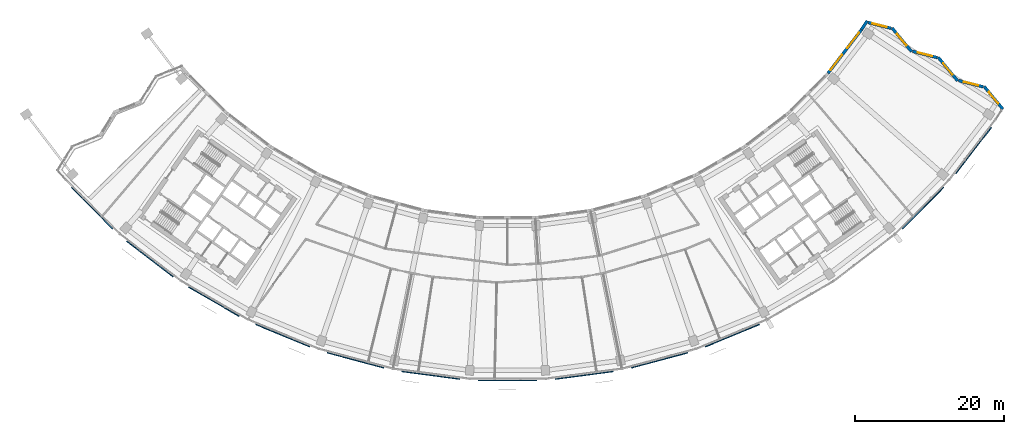
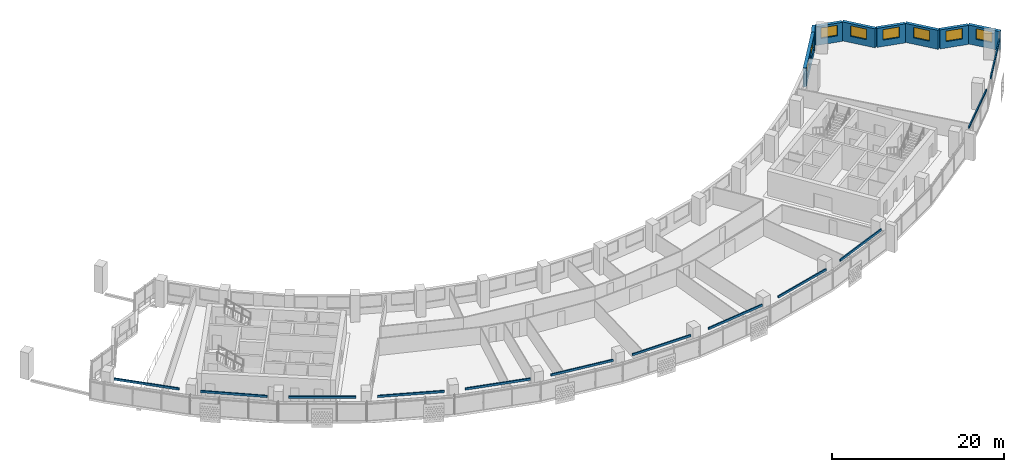
# One storey, part 7 of 27: 12 discrete accessories, 8 walls, 8 windows, 8 openings.
"""IFC4 building model written with IfcOpenShell, lengths in metres."""

import ifcopenshell
import ifcopenshell.guid

model = None  # the IFC model being written
_history = None  # IfcOwnerHistory: only IFC2X3 demands one
_inside = {}  # id of a spatial element -> (the spatial element, [elements in it])
_under = {}  # id of a project, library or spatial element -> (it, [spatial elements below it])
_declared = {}  # id of a project -> (the project, [libraries it declares])
_typed = {}  # id of a type object -> (the type object, [elements of that type])
_made_of = {}  # id of a material, layer set ... -> (it, [elements and type objects made of it])


def new_model(schema):
    """Start an empty IFC model of exactly this schema.

    Asked for "IFC4X3", IfcOpenShell would pick the latest addendum, in which some entities
    have other attributes; the version numbers below select the first issue.
    IFC2X3 requires an IfcOwnerHistory on every rooted entity: one is made here for all.
    """
    global model, _history
    if schema == "IFC4X3":
        model = ifcopenshell.file(schema_version=(4, 3, 0, 0))
    else:
        model = ifcopenshell.file(schema=schema)
    _inside.clear()
    _under.clear()
    _declared.clear()
    _typed.clear()
    _made_of.clear()
    _history = None
    if model.schema == "IFC2X3":
        org = make("IfcOrganization", Name="unknown")
        user = make(
            "IfcPersonAndOrganization",
            ThePerson=make("IfcPerson", FamilyName="unknown"),
            TheOrganization=org,
        )
        app = make(
            "IfcApplication",
            ApplicationDeveloper=org,
            Version="unknown",
            ApplicationFullName="unknown",
            ApplicationIdentifier="unknown",
        )
        _history = make(
            "IfcOwnerHistory",
            OwningUser=user,
            OwningApplication=app,
            ChangeAction="ADDED",
            CreationDate=0,
        )
    return model


def make(cls, **values):
    """One entity of the class cls with the attributes given. An attribute that is None is left unset."""
    return model.create_entity(
        cls, **{name: value for name, value in values.items() if value is not None}
    )


def rooted(cls, **values):
    """An entity with a GlobalId (a new one), such as an element, a storey or a relation."""
    return make(cls, GlobalId=ifcopenshell.guid.new(), OwnerHistory=_history, **values)


def si_unit(unit_type, name, prefix=None):
    """IfcSIUnit, for example si_unit("LENGTHUNIT", "METRE", prefix="MILLI")."""
    return make("IfcSIUnit", UnitType=unit_type, Prefix=prefix, Name=name)


def assignment(units):
    """IfcUnitAssignment: the units of a project."""
    return None if units is None else make("IfcUnitAssignment", Units=units)


def point(xyz):
    """IfcCartesianPoint."""
    return None if xyz is None else make("IfcCartesianPoint", Coordinates=xyz)


def direction(xyz):
    """IfcDirection."""
    return None if xyz is None else make("IfcDirection", DirectionRatios=xyz)


def frame(location, z_axis=None, x_axis=None):
    """IfcAxis2Placement3D, a coordinate frame: its origin and axes. An axis left out is left unset."""
    return make(
        "IfcAxis2Placement3D",
        Location=point(location),
        Axis=direction(z_axis),
        RefDirection=direction(x_axis),
    )


def frame_2d(location, x_axis=None):
    """IfcAxis2Placement2D, a coordinate frame in the plane: its origin and x axis."""
    return make(
        "IfcAxis2Placement2D", Location=point(location), RefDirection=direction(x_axis)
    )


def origin():
    """The frame at (0, 0, 0) with its axes left unset."""
    return frame((0.0, 0.0, 0.0))


def origin_2d():
    """The frame at (0, 0) in the plane with its x axis left unset."""
    return frame_2d((0.0, 0.0))


def place(relative_to, where):
    """IfcLocalPlacement: puts the frame where relative to a parent placement (None: the world)."""
    return make(
        "IfcLocalPlacement", PlacementRelTo=relative_to, RelativePlacement=where
    )


def context(
    kind, dimensions, precision=None, world=None, true_north=None, identifier=None
):
    """IfcGeometricRepresentationContext, for example the 3D "Model" context."""
    return make(
        "IfcGeometricRepresentationContext",
        ContextIdentifier=identifier,
        ContextType=kind,
        CoordinateSpaceDimension=dimensions,
        Precision=precision,
        WorldCoordinateSystem=world,
        TrueNorth=true_north,
    )


def subcontext(parent, identifier, kind, view, scale=None):
    """IfcGeometricRepresentationSubContext, for example "Body" below "Model"."""
    return make(
        "IfcGeometricRepresentationSubContext",
        ContextIdentifier=identifier,
        ContextType=kind,
        ParentContext=parent,
        TargetScale=scale,
        TargetView=view,
    )


def project(units=None, contexts=None):
    """IfcProject with its units and contexts."""
    return rooted(
        "IfcProject",
        Name="project",
        RepresentationContexts=contexts,
        UnitsInContext=assignment(units),
    )


def spatial(cls, under=None, at=None, **own):
    """A site, building, storey or space (cls), placed at a placement, below another one or the project."""
    s = rooted(cls, ObjectPlacement=at, **own)
    if under is not None:
        _under.setdefault(under.id(), (under, []))[1].append(s)
    return s


def profile(cls, at=None, kind="AREA", **sizes):
    """A parametric profile (cls). Its sizes go by their IFC names, for example OverallWidth=200.0."""
    return make(cls, ProfileType=kind, Position=at, **sizes)


def rectangle(**sizes):
    """IfcRectangleProfileDef."""
    return profile("IfcRectangleProfileDef", **sizes)


def extrude(swept, where, along, depth):
    """IfcExtrudedAreaSolid: the profile swept, set in the frame where, extruded along a direction by depth."""
    return make(
        "IfcExtrudedAreaSolid",
        SweptArea=swept,
        Position=where,
        ExtrudedDirection=direction(along),
        Depth=depth,
    )


def shape(context_of_items, identifier, shape_type, items):
    """IfcShapeRepresentation: the items that make up one representation, for example the "Body"."""
    return make(
        "IfcShapeRepresentation",
        ContextOfItems=context_of_items,
        RepresentationIdentifier=identifier,
        RepresentationType=shape_type,
        Items=items,
    )


def material(Name=None, Category=None):
    """IfcMaterial."""
    return make("IfcMaterial", Name=Name, Category=Category)


def layer(
    of_material, thickness, ventilated=None, Name=None, Category=None, Priority=None
):
    """IfcMaterialLayer: one layer of a wall or slab, of a material (None: an air gap)."""
    return make(
        "IfcMaterialLayer",
        Material=of_material,
        LayerThickness=thickness,
        IsVentilated=ventilated,
        Name=Name,
        Category=Category,
        Priority=Priority,
    )


def layer_set(layers, Name=None):
    """IfcMaterialLayerSet."""
    return make("IfcMaterialLayerSet", MaterialLayers=layers, LayerSetName=Name)


def made_of(thing, what):
    """Note that an element or type object is made of a material, layer set ...; save() writes the relation."""
    if what is not None:
        _made_of.setdefault(what.id(), (what, []))[1].append(thing)
    return thing


def type_object(cls, material=None, **own):
    """A type object (cls), such as IfcWallType, which elements share."""
    return made_of(rooted(cls, **own), material)


def element(
    cls,
    number,
    at=None,
    inside=None,
    cuts=None,
    type_object=None,
    material=None,
    context=None,
    identifier="Body",
    shape_type=None,
    held_by="IfcProductDefinitionShape",
    body=None,
    shapes=None,
    **own,
):
    """One element of the class cls, such as IfcWall. Its Tag is "e" and its number.

    at: its placement. inside: the storey or other place that contains it. cuts: it is an
    opening in that element (IfcRelVoidsElement). A single representation is given by context,
    identifier, shape_type and body (its items); several are given by shapes. held_by: the class
    of the entity that holds the representations. save() writes the other relations.
    """
    e = rooted(cls, Tag="e%d" % number, ObjectPlacement=at, **own)
    if body is not None:
        shapes = [shape(context, identifier, shape_type, body)]
    if shapes is not None:
        e.Representation = make(held_by, Representations=shapes)
    if inside is not None:
        _inside.setdefault(inside.id(), (inside, []))[1].append(e)
    if cuts is not None:
        rooted(
            "IfcRelVoidsElement", RelatingBuildingElement=cuts, RelatedOpeningElement=e
        )
    if type_object is not None:
        _typed.setdefault(type_object.id(), (type_object, []))[1].append(e)
    return made_of(e, material)


def fill(opening, filler):
    """IfcRelFillsElement: the door or window that sits in an opening."""
    return rooted(
        "IfcRelFillsElement",
        RelatingOpeningElement=opening,
        RelatedBuildingElement=filler,
    )


def aggregate(whole, parts):
    """IfcRelAggregates: a whole, such as a stair, and the parts it consists of."""
    return rooted("IfcRelAggregates", RelatingObject=whole, RelatedObjects=parts)


def save(model, path):
    """Write the relations noted so far, then the file.

    IfcRelAggregates (storeys below a building ...), IfcRelContainedInSpatialStructure (elements
    in a storey), IfcRelDefinesByType, IfcRelAssociatesMaterial and IfcRelDeclares: one each for
    every whole, place, type object, material and project.
    """
    for whole, parts in _under.values():
        aggregate(whole, parts)
    for where, things in _inside.values():
        rooted(
            "IfcRelContainedInSpatialStructure",
            RelatedElements=things,
            RelatingStructure=where,
        )
    for kind, things in _typed.values():
        rooted("IfcRelDefinesByType", RelatedObjects=things, RelatingType=kind)
    for what, things in _made_of.values():
        rooted("IfcRelAssociatesMaterial", RelatedObjects=things, RelatingMaterial=what)
    for by, libraries in _declared.values():
        rooted("IfcRelDeclares", RelatingContext=by, RelatedDefinitions=libraries)
    model.write(path)


model = new_model("IFC4")

# Units and contexts
model_context = context("Model", 3, precision=1e-05, world=origin(), true_north=direction((0.0, 1.0)))
body_context = subcontext(model_context, "Body", "Model", "MODEL_VIEW")
ifc_project = project(units=[si_unit("LENGTHUNIT", "METRE"), si_unit("AREAUNIT", "SQUARE_METRE"), si_unit("VOLUMEUNIT", "CUBIC_METRE"), si_unit("PLANEANGLEUNIT", "RADIAN"), si_unit("MASSUNIT", "GRAM", prefix="KILO")], contexts=[model_context])

# Site, building, storey
site_placement = place(None, origin())
site = spatial("IfcSite", under=ifc_project, at=site_placement, CompositionType="ELEMENT")
building_placement = place(site_placement, origin())
building = spatial("IfcBuilding", under=site, at=building_placement, Name="Qamariyya Broadcast Tower", CompositionType="ELEMENT")
storey_placement = place(building_placement, frame((0.0, 0.0, 153.10009765625)))
storey = spatial("IfcBuildingStorey", under=building, at=storey_placement, Name="L35", CompositionType="ELEMENT", Elevation=153.10009765625)

# Wall, opening, window
ifc_material_1 = material(Name="Terracotta", Category="masonry")
ifc_layer = layer(ifc_material_1, 0.39990234375)
ifc_layer_set = layer_set([ifc_layer], Name="Terracotta clad wall 400")
wall_type = type_object("IfcWallType", Name="Terracotta clad wall 400", PredefinedType="SOLIDWALL", material=ifc_layer_set)
wall_1_placement = place(storey_placement, frame((66.530029296875, -42.485107421875, 0.0), z_axis=(0.0, 0.0, 1.0), x_axis=(-0.636054145127, 0.77164442878, 0.0)))
wall_1 = element("IfcWall", 1, at=wall_1_placement, inside=storey, type_object=wall_type, Name="e-wl-L35-capE0", PredefinedType="SOLIDWALL", context=body_context, shape_type="SweptSolid", body=[
    extrude(rectangle(XDim=3.921630859375, YDim=0.39990234375, at=frame_2d((1.9609375, 0.0))), origin(), (0.0, 0.0, 1.0), 2.699951171875),
])
opening_1_placement = place(wall_1_placement, frame((0.9609375, 0.0, 0.89990234375)))
opening_1 = element("IfcOpeningElement", 2, at=opening_1_placement, cuts=wall_1, Name="Opening W4", PredefinedType="OPENING", context=body_context, shape_type="SweptSolid", body=[
    extrude(rectangle(XDim=2.0, YDim=1.5, at=frame_2d((1.0, 0.75))), frame((0.0, 0.2099609375, 0.0), z_axis=(0.0, -1.0, 0.0), x_axis=(1.0, 0.0, 0.0)), (0.0, 0.0, 1.0), 0.419921875),
])
ifc_material_2 = material(Name="Clear low-e double glazed unit in aluminium frame", Category="aluminium")
window_type_1 = type_object("IfcWindowType", Name="Horn bay window 2000 x 1500", PartitioningType="SINGLE_PANEL", PredefinedType="WINDOW", material=ifc_material_2)
window_1_placement = place(opening_1_placement, origin())
window_1 = element("IfcWindow", 3, at=window_1_placement, inside=storey, type_object=window_type_1, Name="e-w-L35-capE0", OverallHeight=1.5, OverallWidth=2.0, PartitioningType="SINGLE_PANEL", PredefinedType="WINDOW", context=body_context, shape_type="SweptSolid", body=[
    extrude(rectangle(XDim=2.0, YDim=1.5, at=frame_2d((1.0, 0.75))), frame((0.0, 0.030029296875, 0.0), z_axis=(0.0, -1.0, 0.0), x_axis=(1.0, 0.0, 0.0)), (0.0, 0.0, 1.0), 0.06005859375),
])
fill(opening_1, window_1)

wall_2_placement = place(storey_placement, frame((63.90380859375, -39.49853515625, 0.0), z_axis=(0.0, 0.0, 1.0), x_axis=(-0.969202912247, 0.246263507024, 0.0)))
wall_2 = element("IfcWall", 4, at=wall_2_placement, inside=storey, type_object=wall_type, Name="e-wl-L35-capE1", PredefinedType="SOLIDWALL", context=body_context, shape_type="SweptSolid", body=[
    extrude(rectangle(XDim=3.419189453125, YDim=0.39990234375, at=frame_2d((1.70947265625, 0.0))), origin(), (0.0, 0.0, 1.0), 2.699951171875),
])
opening_2_placement = place(wall_2_placement, frame((0.709716796875, 0.0, 0.89990234375)))
opening_2 = element("IfcOpeningElement", 5, at=opening_2_placement, cuts=wall_2, Name="Opening W4", PredefinedType="OPENING", context=body_context, shape_type="SweptSolid", body=[
    extrude(rectangle(XDim=2.0, YDim=1.5, at=frame_2d((1.0, 0.75))), frame((0.0, 0.2099609375, 0.0), z_axis=(0.0, -1.0, 0.0), x_axis=(1.0, 0.0, 0.0)), (0.0, 0.0, 1.0), 0.419921875),
])
window_2_placement = place(opening_2_placement, origin())
window_2 = element("IfcWindow", 6, at=window_2_placement, inside=storey, type_object=window_type_1, Name="e-w-L35-capE1", OverallHeight=1.5, OverallWidth=2.0, PartitioningType="SINGLE_PANEL", PredefinedType="WINDOW", context=body_context, shape_type="SweptSolid", body=[
    extrude(rectangle(XDim=2.0, YDim=1.5, at=frame_2d((1.0, 0.75))), frame((0.0, 0.030029296875, 0.0), z_axis=(0.0, -1.0, 0.0), x_axis=(1.0, 0.0, 0.0)), (0.0, 0.0, 1.0), 0.06005859375),
])
fill(opening_2, window_2)

wall_3_placement = place(storey_placement, frame((60.4580078125, -38.696044921875, 0.0), z_axis=(0.0, 0.0, 1.0), x_axis=(-0.636136274346, 0.771576723639, 0.0)))
wall_3 = element("IfcWall", 7, at=wall_3_placement, inside=storey, type_object=wall_type, Name="e-wl-L35-capE2", PredefinedType="SOLIDWALL", context=body_context, shape_type="SweptSolid", body=[
    extrude(rectangle(XDim=4.108154296875, YDim=0.39990234375, at=frame_2d((2.05419921875, 0.0))), origin(), (0.0, 0.0, 1.0), 2.699951171875),
])
opening_3_placement = place(wall_3_placement, frame((1.053955078125, 0.0, 0.89990234375)))
opening_3 = element("IfcOpeningElement", 8, at=opening_3_placement, cuts=wall_3, Name="Opening W4", PredefinedType="OPENING", context=body_context, shape_type="SweptSolid", body=[
    extrude(rectangle(XDim=2.0, YDim=1.5, at=frame_2d((1.0, 0.75))), frame((0.0, 0.2099609375, 0.0), z_axis=(0.0, -1.0, 0.0), x_axis=(1.0, 0.0, 0.0)), (0.0, 0.0, 1.0), 0.419921875),
])
window_3_placement = place(opening_3_placement, origin())
window_3 = element("IfcWindow", 9, at=window_3_placement, inside=storey, type_object=window_type_1, Name="e-w-L35-capE2", OverallHeight=1.5, OverallWidth=2.0, PartitioningType="SINGLE_PANEL", PredefinedType="WINDOW", context=body_context, shape_type="SweptSolid", body=[
    extrude(rectangle(XDim=2.0, YDim=1.5, at=frame_2d((1.0, 0.75))), frame((0.0, 0.030029296875, 0.0), z_axis=(0.0, -1.0, 0.0), x_axis=(1.0, 0.0, 0.0)), (0.0, 0.0, 1.0), 0.06005859375),
])
fill(opening_3, window_3)

wall_4_placement = place(storey_placement, frame((57.712890625, -35.566162109375, 0.0), z_axis=(0.0, 0.0, 1.0), x_axis=(-0.969224007326, 0.246180469623, 0.0)))
wall_4 = element("IfcWall", 10, at=wall_4_placement, inside=storey, type_object=wall_type, Name="e-wl-L35-capE3", PredefinedType="SOLIDWALL", context=body_context, shape_type="SweptSolid", body=[
    extrude(rectangle(XDim=3.41845703125, YDim=0.39990234375, at=frame_2d((1.709228515625, 0.0))), origin(), (0.0, 0.0, 1.0), 2.699951171875),
])
opening_4_placement = place(wall_4_placement, frame((0.709228515625, 0.0, 0.89990234375)))
opening_4 = element("IfcOpeningElement", 11, at=opening_4_placement, cuts=wall_4, Name="Opening W4", PredefinedType="OPENING", context=body_context, shape_type="SweptSolid", body=[
    extrude(rectangle(XDim=2.0, YDim=1.5, at=frame_2d((1.0, 0.75))), frame((0.0, 0.2099609375, 0.0), z_axis=(0.0, -1.0, 0.0), x_axis=(1.0, 0.0, 0.0)), (0.0, 0.0, 1.0), 0.419921875),
])
window_4_placement = place(opening_4_placement, origin())
window_4 = element("IfcWindow", 12, at=window_4_placement, inside=storey, type_object=window_type_1, Name="e-w-L35-capE3", OverallHeight=1.5, OverallWidth=2.0, PartitioningType="SINGLE_PANEL", PredefinedType="WINDOW", context=body_context, shape_type="SweptSolid", body=[
    extrude(rectangle(XDim=2.0, YDim=1.5, at=frame_2d((1.0, 0.75))), frame((0.0, 0.030029296875, 0.0), z_axis=(0.0, -1.0, 0.0), x_axis=(1.0, 0.0, 0.0)), (0.0, 0.0, 1.0), 0.06005859375),
])
fill(opening_4, window_4)

wall_5_placement = place(storey_placement, frame((54.267822265625, -34.76416015625, 0.0), z_axis=(0.0, 0.0, 1.0), x_axis=(-0.636190269273, 0.771532203659, 0.0)))
wall_5 = element("IfcWall", 13, at=wall_5_placement, inside=storey, type_object=wall_type, Name="e-wl-L35-capE4", PredefinedType="SOLIDWALL", context=body_context, shape_type="SweptSolid", body=[
    extrude(rectangle(XDim=4.109130859375, YDim=0.39990234375, at=frame_2d((2.0546875, 0.0))), origin(), (0.0, 0.0, 1.0), 2.699951171875),
])
opening_5_placement = place(wall_5_placement, frame((1.0546875, 0.0, 0.89990234375)))
opening_5 = element("IfcOpeningElement", 14, at=opening_5_placement, cuts=wall_5, Name="Opening W4", PredefinedType="OPENING", context=body_context, shape_type="SweptSolid", body=[
    extrude(rectangle(XDim=2.0, YDim=1.5, at=frame_2d((1.0, 0.75))), frame((0.0, 0.2099609375, 0.0), z_axis=(0.0, -1.0, 0.0), x_axis=(1.0, 0.0, 0.0)), (0.0, 0.0, 1.0), 0.419921875),
])
window_5_placement = place(opening_5_placement, origin())
window_5 = element("IfcWindow", 15, at=window_5_placement, inside=storey, type_object=window_type_1, Name="e-w-L35-capE4", OverallHeight=1.5, OverallWidth=2.0, PartitioningType="SINGLE_PANEL", PredefinedType="WINDOW", context=body_context, shape_type="SweptSolid", body=[
    extrude(rectangle(XDim=2.0, YDim=1.5, at=frame_2d((1.0, 0.75))), frame((0.0, 0.030029296875, 0.0), z_axis=(0.0, -1.0, 0.0), x_axis=(1.0, 0.0, 0.0)), (0.0, 0.0, 1.0), 0.06005859375),
])
fill(opening_5, window_5)

wall_6_placement = place(storey_placement, frame((51.521728515625, -31.633544921875, 0.0), z_axis=(0.0, 0.0, 1.0), x_axis=(-0.969235139733, 0.24613663666, 0.0)))
wall_6 = element("IfcWall", 16, at=wall_6_placement, inside=storey, type_object=wall_type, Name="e-wl-L35-capE5", PredefinedType="SOLIDWALL", context=body_context, shape_type="SweptSolid", body=[
    extrude(rectangle(XDim=3.173095703125, YDim=0.39990234375, at=frame_2d((1.58642578125, 0.0))), origin(), (0.0, 0.0, 1.0), 2.699951171875),
])
opening_6_placement = place(wall_6_placement, frame((0.58642578125, 0.0, 0.89990234375)))
opening_6 = element("IfcOpeningElement", 17, at=opening_6_placement, cuts=wall_6, Name="Opening W4", PredefinedType="OPENING", context=body_context, shape_type="SweptSolid", body=[
    extrude(rectangle(XDim=2.0, YDim=1.5, at=frame_2d((1.0, 0.75))), frame((0.0, 0.2099609375, 0.0), z_axis=(0.0, -1.0, 0.0), x_axis=(1.0, 0.0, 0.0)), (0.0, 0.0, 1.0), 0.419921875),
])
window_6_placement = place(opening_6_placement, origin())
window_6 = element("IfcWindow", 18, at=window_6_placement, inside=storey, type_object=window_type_1, Name="e-w-L35-capE5", OverallHeight=1.5, OverallWidth=2.0, PartitioningType="SINGLE_PANEL", PredefinedType="WINDOW", context=body_context, shape_type="SweptSolid", body=[
    extrude(rectangle(XDim=2.0, YDim=1.5, at=frame_2d((1.0, 0.75))), frame((0.0, 0.030029296875, 0.0), z_axis=(0.0, -1.0, 0.0), x_axis=(1.0, 0.0, 0.0)), (0.0, 0.0, 1.0), 0.06005859375),
])
fill(opening_6, window_6)

# Wall, openings, windows
wall_7_placement = place(storey_placement, frame((47.538818359375, -31.80712890625, 0.0), z_axis=(0.0, 0.0, 1.0), x_axis=(-0.608778684195, -0.793340099623, 0.0)))
wall_7 = element("IfcWall", 19, at=wall_7_placement, inside=storey, type_object=wall_type, Name="e-wl-L35-in140", PredefinedType="SOLIDWALL", context=body_context, shape_type="SweptSolid", body=[
    extrude(rectangle(XDim=7.395751953125, YDim=0.39990234375, at=frame_2d((3.69775390625, 0.0))), origin(), (0.0, 0.0, 1.0), 2.699951171875),
])
opening_7_placement = place(wall_7_placement, frame((4.26953125, 0.0, 0.89990234375)))
opening_7 = element("IfcOpeningElement", 20, at=opening_7_placement, cuts=wall_7, Name="Opening W1", PredefinedType="OPENING", context=body_context, shape_type="SweptSolid", body=[
    extrude(rectangle(XDim=2.60009765625, YDim=1.64990234375, at=frame_2d((1.300048828125, 0.824951171875))), frame((0.0, 0.2099609375, 0.0), z_axis=(0.0, -1.0, 0.0), x_axis=(1.0, 0.0, 0.0)), (0.0, 0.0, 1.0), 0.419921875),
])
opening_8_placement = place(wall_7_placement, frame((0.54150390625, 0.0, 0.89990234375)))
opening_8 = element("IfcOpeningElement", 21, at=opening_8_placement, cuts=wall_7, Name="Opening W1", PredefinedType="OPENING", context=body_context, shape_type="SweptSolid", body=[
    extrude(rectangle(XDim=2.60009765625, YDim=1.64990234375, at=frame_2d((1.300048828125, 0.824951171875))), frame((0.0, 0.2099609375, 0.0), z_axis=(0.0, -1.0, 0.0), x_axis=(1.0, 0.0, 0.0)), (0.0, 0.0, 1.0), 0.419921875),
])
window_type_2 = type_object("IfcWindowType", Name="Ribbon window 2600 x 1650", PartitioningType="SINGLE_PANEL", PredefinedType="WINDOW", material=ifc_material_2)
window_7_placement = place(opening_7_placement, origin())
window_7 = element("IfcWindow", 22, at=window_7_placement, inside=storey, type_object=window_type_2, Name="e-w-L35-in14-0", OverallHeight=1.64990234375, OverallWidth=2.60009765625, PartitioningType="SINGLE_PANEL", PredefinedType="WINDOW", context=body_context, shape_type="SweptSolid", body=[
    extrude(rectangle(XDim=2.60009765625, YDim=1.64990234375, at=frame_2d((1.300048828125, 0.824951171875))), frame((0.0, 0.030029296875, 0.0), z_axis=(0.0, -1.0, 0.0), x_axis=(1.0, 0.0, 0.0)), (0.0, 0.0, 1.0), 0.06005859375),
])
fill(opening_7, window_7)
window_8_placement = place(opening_8_placement, origin())
window_8 = element("IfcWindow", 23, at=window_8_placement, inside=storey, type_object=window_type_2, Name="e-w-L35-in14-1", OverallHeight=1.64990234375, OverallWidth=2.60009765625, PartitioningType="SINGLE_PANEL", PredefinedType="WINDOW", context=body_context, shape_type="SweptSolid", body=[
    extrude(rectangle(XDim=2.60009765625, YDim=1.64990234375, at=frame_2d((1.300048828125, 0.824951171875))), frame((0.0, 0.030029296875, 0.0), z_axis=(0.0, -1.0, 0.0), x_axis=(1.0, 0.0, 0.0)), (0.0, 0.0, 1.0), 0.06005859375),
])
fill(opening_8, window_8)

# Wall
wall_8_placement = place(storey_placement, frame((48.307373046875, -30.6318359375, 0.0), z_axis=(0.0, 0.0, 1.0), x_axis=(-0.546031881714, -0.837764396565, 0.0)))
element("IfcWall", 24, at=wall_8_placement, inside=storey, type_object=wall_type, Name="e-wl-L35-in150", PredefinedType="SOLIDWALL", context=body_context, shape_type="SweptSolid", body=[
    extrude(rectangle(XDim=1.38916015625, YDim=0.39990234375, at=frame_2d((0.694580078125, 0.0))), origin(), (0.0, 0.0, 1.0), 2.699951171875),
])

# Discrete accessories
ifc_material_3 = material(Name="Stainless steel 316", Category="steel")
discrete_accessory_type = type_object("IfcDiscreteAccessoryType", Name="Slab edge fixing angle, stainless steel", PredefinedType="BRACKET", material=ifc_material_3)
for number, where, z_axis, x_axis, name in (
    (25, (-55.794921875, -55.794921875, 3.2998046875), (0.0, 0.0, 1.0), (0.707106781187, -0.707106781187, 0.0), "e-br-L35-01-0"),
    (26, (-48.034912109375, -62.600341796875, 3.2998046875), (0.0, 0.0, 1.0), (0.793353340291, -0.608761429009, 0.0), "e-br-L35-02-0"),
    (27, (-39.452880859375, -68.33447265625, 3.2998046875), (0.0, 0.0, 1.0), (0.866025403784, -0.5, 0.0), "e-br-L35-03-0"),
    (28, (-30.196044921875, -72.8994140625, 3.2998046875), (0.0, 0.0, 1.0), (0.923879532511, -0.382683432365, 0.0), "e-br-L35-04-0"),
    (29, (-20.42236328125, -76.21728515625, 3.2998046875), (0.0, 0.0, 1.0), (0.965925826289, -0.258819045103, 0.0), "e-br-L35-05-0"),
    (30, (-10.29931640625, -78.230712890625, 3.2998046875), (0.0, 0.0, 1.0), (0.991444861374, -0.13052619222, 0.0), "e-br-L35-06-0"),
    (31, (0.0, -78.90576171875, 3.2998046875), (0.0, 0.0, 1.0), (1.0, 0.0, 0.0), "e-br-L35-07-0"),
    (32, (10.29931640625, -78.230712890625, 3.2998046875), (0.0, 0.0, 1.0), (0.991444861374, 0.13052619222, 0.0), "e-br-L35-08-0"),
    (33, (20.42236328125, -76.21728515625, 3.2998046875), (0.0, 0.0, 1.0), (0.965925826289, 0.258819045103, 0.0), "e-br-L35-09-0"),
    (34, (30.196044921875, -72.8994140625, 3.2998046875), (0.0, 0.0, 1.0), (0.923879532511, 0.382683432365, 0.0), "e-br-L35-10-0"),
    (35, (55.794921875, -55.794921875, 3.2998046875), (0.0, 0.0, 1.0), (0.707106781187, 0.707106781187, 0.0), "e-br-L35-13-0"),
    (36, (62.600341796875, -48.034912109375, 3.2998046875), (0.0, 0.0, 1.0), (0.608761429009, 0.793353340291, 0.0), "e-br-L35-14-0"),
):
    element("IfcDiscreteAccessory", number, at=place(storey_placement, frame(where, z_axis=z_axis, x_axis=x_axis)), inside=storey, type_object=discrete_accessory_type, Name=name, PredefinedType="BRACKET", context=body_context, shape_type="SweptSolid", body=[
        extrude(rectangle(XDim=7.850341796875, YDim=0.14990234375, at=origin_2d()), origin(), (0.0, 0.0, 1.0), 0.300048828125),
    ])

save(model, "model.ifc")
